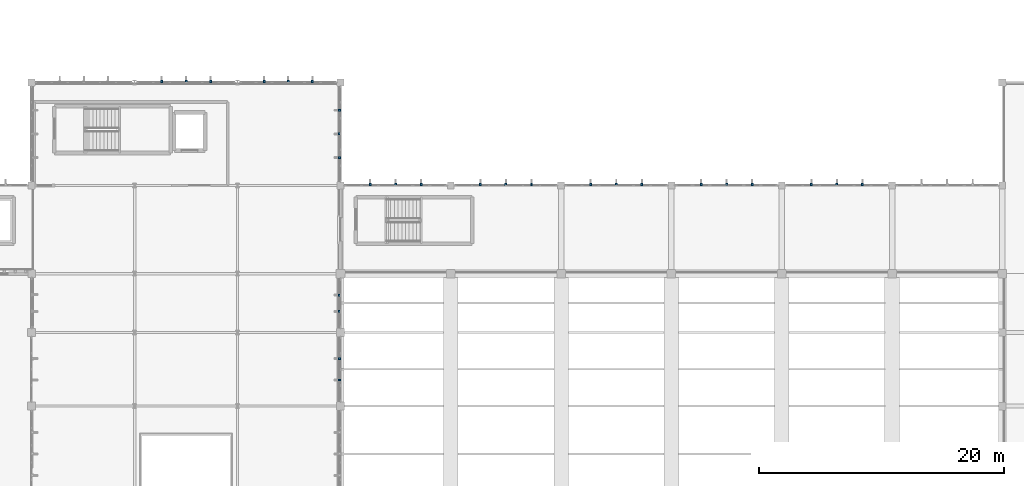
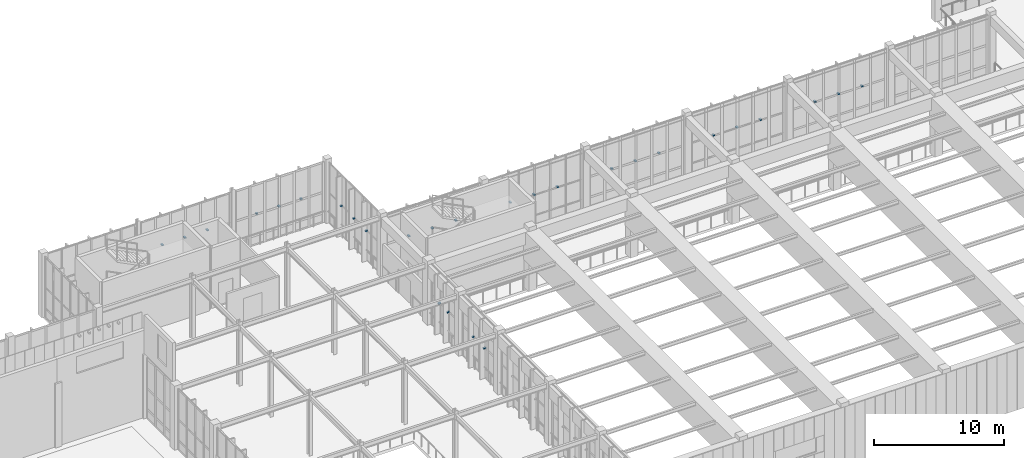
# One storey, part 85 of 105: 28 discrete accessories.
"""IFC4 building model written with IfcOpenShell, lengths in metres."""

from ifc_helpers import new_model, si_unit, direction, frame, origin, origin_2d, place, context, subcontext, project, spatial, rectangle, extrude, material, type_object, element, save


model = new_model("IFC4")

# Units and contexts
model_context = context("Model", 3, precision=1e-05, world=origin(), true_north=direction((0.0, 1.0)))
body_context = subcontext(model_context, "Body", "Model", "MODEL_VIEW")
ifc_project = project(units=[si_unit("LENGTHUNIT", "METRE"), si_unit("AREAUNIT", "SQUARE_METRE"), si_unit("VOLUMEUNIT", "CUBIC_METRE"), si_unit("PLANEANGLEUNIT", "RADIAN"), si_unit("MASSUNIT", "GRAM", prefix="KILO")], contexts=[model_context])

# Site, building, storey
site_placement = place(None, origin())
site = spatial("IfcSite", under=ifc_project, at=site_placement, CompositionType="ELEMENT")
building_placement = place(site_placement, origin())
building = spatial("IfcBuilding", under=site, at=building_placement, Name="Tizgana Railside Sports Hall", CompositionType="ELEMENT")
storey_placement = place(building_placement, frame((0.0, 0.0, 6.0)))
storey = spatial("IfcBuildingStorey", under=building, at=storey_placement, Name="L01", CompositionType="ELEMENT", Elevation=6.0)

# Discrete accessories
ifc_material = material(Name="Steel S355J2", Category="steel")
discrete_accessory_type = type_object("IfcDiscreteAccessoryType", Name="Stainless Facade Support Bracket", PredefinedType="BRACKET", material=ifc_material)
for number, where, z_axis, x_axis, name in (
    (1, (82.215087890625, 80.47998046875, 2.760009765625), (0.0, 0.0, 1.0), (1.0, 0.0, 0.0), "L01 Fin Bracket"),
    (2, (84.300048828125, 80.47998046875, 2.760009765625), (0.0, 0.0, 1.0), (1.0, 0.0, 0.0), "L01 Fin Bracket"),
    (3, (86.385009765625, 80.47998046875, 2.760009765625), (0.0, 0.0, 1.0), (1.0, 0.0, 0.0), "L01 Fin Bracket"),
    (4, (91.215087890625, 80.47998046875, 2.760009765625), (0.0, 0.0, 1.0), (1.0, 0.0, 0.0), "L01 Fin Bracket"),
    (5, (93.300048828125, 80.47998046875, 2.760009765625), (0.0, 0.0, 1.0), (1.0, 0.0, 0.0), "L01 Fin Bracket"),
    (6, (95.385009765625, 80.47998046875, 2.760009765625), (0.0, 0.0, 1.0), (1.0, 0.0, 0.0), "L01 Fin Bracket"),
    (7, (100.215087890625, 80.47998046875, 2.760009765625), (0.0, 0.0, 1.0), (1.0, 0.0, 0.0), "L01 Fin Bracket"),
    (8, (102.300048828125, 80.47998046875, 2.760009765625), (0.0, 0.0, 1.0), (1.0, 0.0, 0.0), "L01 Fin Bracket"),
    (9, (104.385009765625, 80.47998046875, 2.760009765625), (0.0, 0.0, 1.0), (1.0, 0.0, 0.0), "L01 Fin Bracket"),
    (10, (109.215087890625, 80.47998046875, 2.760009765625), (0.0, 0.0, 1.0), (1.0, 0.0, 0.0), "L01 Fin Bracket"),
    (11, (111.300048828125, 80.47998046875, 2.760009765625), (0.0, 0.0, 1.0), (1.0, 0.0, 0.0), "L01 Fin Bracket"),
    (12, (113.385009765625, 80.47998046875, 2.760009765625), (0.0, 0.0, 1.0), (1.0, 0.0, 0.0), "L01 Fin Bracket"),
    (13, (118.215087890625, 80.47998046875, 2.760009765625), (0.0, 0.0, 1.0), (1.0, 0.0, 0.0), "L01 Fin Bracket"),
    (14, (120.300048828125, 80.47998046875, 2.760009765625), (0.0, 0.0, 1.0), (1.0, 0.0, 0.0), "L01 Fin Bracket"),
    (15, (122.385009765625, 80.47998046875, 2.760009765625), (0.0, 0.0, 1.0), (1.0, 0.0, 0.0), "L01 Fin Bracket"),
    (16, (65.202392578125, 88.8798828125, 2.784912109375), (0.0, 0.0, 1.0), (1.0, 0.0, 0.0), "L01 Fin Bracket"),
    (17, (67.199951171875, 88.8798828125, 2.784912109375), (0.0, 0.0, 1.0), (1.0, 0.0, 0.0), "L01 Fin Bracket"),
    (18, (69.197509765625, 88.8798828125, 2.784912109375), (0.0, 0.0, 1.0), (1.0, 0.0, 0.0), "L01 Fin Bracket"),
    (19, (73.5712890625, 88.8798828125, 2.784912109375), (0.0, 0.0, 1.0), (1.0, 0.0, 0.0), "L01 Fin Bracket"),
    (20, (75.53759765625, 88.8798828125, 2.784912109375), (0.0, 0.0, 1.0), (1.0, 0.0, 0.0), "L01 Fin Bracket"),
    (21, (77.503662109375, 88.8798828125, 2.784912109375), (0.0, 0.0, 1.0), (1.0, 0.0, 0.0), "L01 Fin Bracket"),
    (22, (79.719970703125, 64.526611328125, 2.784912109375), (0.0, 0.0, 1.0), (0.0, 1.0, 0.0), "L01 Fin Bracket"),
    (23, (79.719970703125, 66.273193359375, 2.784912109375), (0.0, 0.0, 1.0), (0.0, 1.0, 0.0), "L01 Fin Bracket"),
    (24, (79.719970703125, 70.118408203125, 2.784912109375), (0.0, 0.0, 1.0), (0.0, 1.0, 0.0), "L01 Fin Bracket"),
    (25, (79.719970703125, 71.456787109375, 2.784912109375), (0.0, 0.0, 1.0), (0.0, 1.0, 0.0), "L01 Fin Bracket"),
    (26, (79.719970703125, 82.6650390625, 2.784912109375), (0.0, 0.0, 1.0), (0.0, 1.0, 0.0), "L01 Fin Bracket"),
    (27, (79.719970703125, 84.60009765625, 2.784912109375), (0.0, 0.0, 1.0), (0.0, 1.0, 0.0), "L01 Fin Bracket"),
    (28, (79.719970703125, 86.534912109375, 2.784912109375), (0.0, 0.0, 1.0), (0.0, 1.0, 0.0), "L01 Fin Bracket"),
):
    element("IfcDiscreteAccessory", number, at=place(storey_placement, frame(where, z_axis=z_axis, x_axis=x_axis)), inside=storey, type_object=discrete_accessory_type, Name=name, PredefinedType="BRACKET", context=body_context, shape_type="SweptSolid", body=[
        extrude(rectangle(XDim=0.159912109375, YDim=0.219970703125, at=origin_2d()), origin(), (0.0, 0.0, 1.0), 0.1201171875),
    ])

save(model, "model.ifc")
